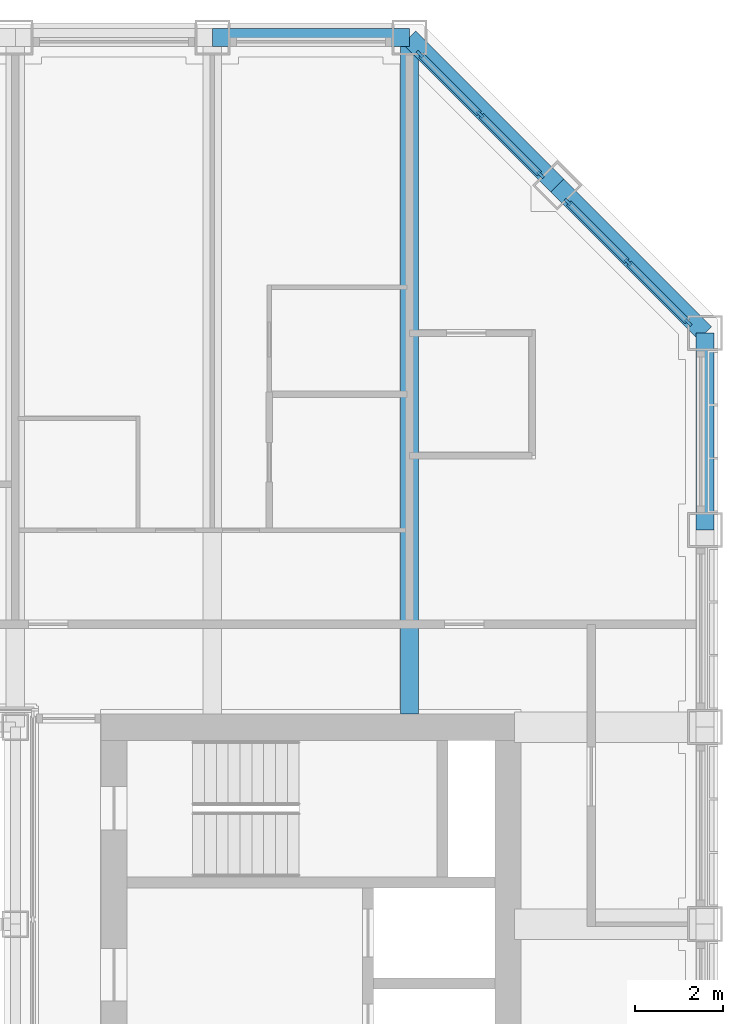
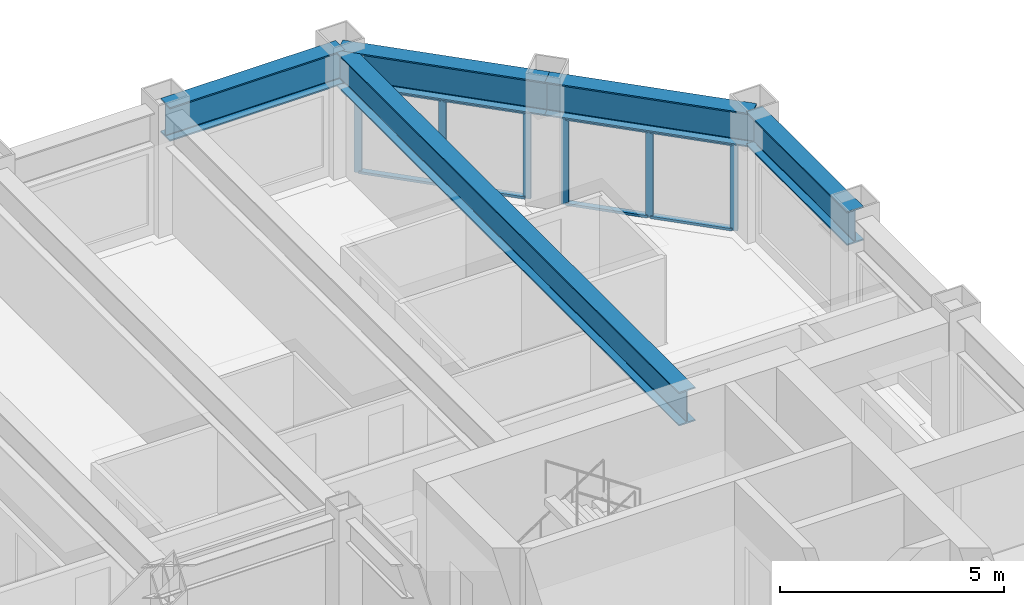
# One storey, part 8 of 18: 14 members, 5 beams, 2 elements without a shape of their own.
"""IFC4 building model written with IfcOpenShell, lengths in metres."""

from ifc_helpers import new_model, si_unit, direction, frame, origin, origin_2d, place, context, subcontext, project, spatial, rectangle, i_section, extrude, material, material_profile, profile_set, type_object, element, aggregate, save


model = new_model("IFC4")

# Units and contexts
model_context = context("Model", 3, precision=1e-05, world=origin(), true_north=direction((0.0, 1.0)))
body_context = subcontext(model_context, "Body", "Model", "MODEL_VIEW")
ifc_project = project(units=[si_unit("LENGTHUNIT", "METRE"), si_unit("AREAUNIT", "SQUARE_METRE"), si_unit("VOLUMEUNIT", "CUBIC_METRE"), si_unit("PLANEANGLEUNIT", "RADIAN"), si_unit("MASSUNIT", "GRAM", prefix="KILO")], contexts=[model_context])

# Site, building, storey
site_placement = place(None, origin())
site = spatial("IfcSite", under=ifc_project, at=site_placement, CompositionType="ELEMENT")
building_placement = place(site_placement, origin())
building = spatial("IfcBuilding", under=site, at=building_placement, Name="Msasa Ring Tower", CompositionType="ELEMENT")
storey_placement = place(building_placement, frame((0.0, 0.0, 186.800048828125)))
storey = spatial("IfcBuildingStorey", under=building, at=storey_placement, Name="L49", CompositionType="ELEMENT", Elevation=186.800048828125)

# Curtain wall, members
ifc_material_1 = material(Name="Aluminium curtain wall with clear glass", Category="aluminium")
curtain_wall_type = type_object("IfcCurtainWallType", Name="CW-C CHAMFER CORNER CURTAIN WALL", PredefinedType="NOTDEFINED", material=ifc_material_1)
curtain_wall_1_placement = place(storey_placement, origin())
curtain_wall_1 = element("IfcCurtainWall", 1, at=curtain_wall_1_placement, inside=storey, type_object=curtain_wall_type, Name="Chamfer corner curtain wall NE L49", PredefinedType="NOTDEFINED")
ifc_material_2 = material(Name="Aluminium mullion", Category="aluminium")
ifc_material_profile_1 = material_profile(ifc_material_2, rectangle(XDim=0.06494140625, YDim=0.179931640625, at=origin_2d()), Name="AL 65x180")
ifc_profile_set_1 = profile_set([ifc_material_profile_1], Name="Aluminium mullion")
member_type_1 = type_object("IfcMemberType", Name="CW-C MULLION 65x180", PredefinedType="MULLION", material=ifc_profile_set_1)
member_1_placement = place(storey_placement, frame((18.744873046875, 19.36376953125, 0.0), z_axis=(0.0, 0.0, 1.0), x_axis=(-0.707106781187, -0.707106781187, 0.0)))
member_1 = element("IfcMember", 2, at=member_1_placement, type_object=member_type_1, Name="CW-C mullion 1", PredefinedType="MULLION", context=body_context, shape_type="SweptSolid", body=[
    extrude(rectangle(XDim=0.06494140625, YDim=0.179931640625, at=origin_2d()), origin(), (0.0, 0.0, 1.0), 2.37890625),
])
member_2_placement = place(storey_placement, frame((17.36669921875, 20.74169921875, 0.0), z_axis=(0.0, 0.0, 1.0), x_axis=(-0.707106781187, -0.707106781187, 0.0)))
member_2 = element("IfcMember", 3, at=member_2_placement, type_object=member_type_1, Name="CW-C mullion 2", PredefinedType="MULLION", context=body_context, shape_type="SweptSolid", body=[
    extrude(rectangle(XDim=0.06494140625, YDim=0.179931640625, at=origin_2d()), origin(), (0.0, 0.0, 1.0), 2.37890625),
])
member_3_placement = place(storey_placement, frame((15.98876953125, 22.119873046875, 0.0), z_axis=(0.0, 0.0, 1.0), x_axis=(-0.707106781187, -0.707106781187, 0.0)))
member_3 = element("IfcMember", 4, at=member_3_placement, type_object=member_type_1, Name="CW-C mullion 3", PredefinedType="MULLION", context=body_context, shape_type="SweptSolid", body=[
    extrude(rectangle(XDim=0.06494140625, YDim=0.179931640625, at=origin_2d()), origin(), (0.0, 0.0, 1.0), 2.37890625),
])

curtain_wall_2_placement = place(storey_placement, origin())
curtain_wall_2 = element("IfcCurtainWall", 5, at=curtain_wall_2_placement, inside=storey, type_object=curtain_wall_type, Name="Chamfer corner curtain wall NE L49", PredefinedType="NOTDEFINED")
member_4_placement = place(storey_placement, frame((22.119873046875, 15.98876953125, 0.0), z_axis=(0.0, 0.0, 1.0), x_axis=(-0.707106781187, -0.707106781187, 0.0)))
member_4 = element("IfcMember", 6, at=member_4_placement, type_object=member_type_1, Name="CW-C mullion 1", PredefinedType="MULLION", context=body_context, shape_type="SweptSolid", body=[
    extrude(rectangle(XDim=0.06494140625, YDim=0.179931640625, at=origin_2d()), origin(), (0.0, 0.0, 1.0), 2.37890625),
])
member_5_placement = place(storey_placement, frame((20.74169921875, 17.36669921875, 0.0), z_axis=(0.0, 0.0, 1.0), x_axis=(-0.707106781187, -0.707106781187, 0.0)))
member_5 = element("IfcMember", 7, at=member_5_placement, type_object=member_type_1, Name="CW-C mullion 2", PredefinedType="MULLION", context=body_context, shape_type="SweptSolid", body=[
    extrude(rectangle(XDim=0.06494140625, YDim=0.179931640625, at=origin_2d()), origin(), (0.0, 0.0, 1.0), 2.37890625),
])
member_6_placement = place(storey_placement, frame((19.36376953125, 18.744873046875, 0.0), z_axis=(0.0, 0.0, 1.0), x_axis=(-0.707106781187, -0.707106781187, 0.0)))
member_6 = element("IfcMember", 8, at=member_6_placement, type_object=member_type_1, Name="CW-C mullion 3", PredefinedType="MULLION", context=body_context, shape_type="SweptSolid", body=[
    extrude(rectangle(XDim=0.06494140625, YDim=0.179931640625, at=origin_2d()), origin(), (0.0, 0.0, 1.0), 2.37890625),
])

# Member
ifc_material_3 = material(Name="Aluminium transom", Category="aluminium")
ifc_material_profile_2 = material_profile(ifc_material_3, rectangle(XDim=0.139892578125, YDim=0.06494140625, at=origin_2d()), Name="AL 65x140")
ifc_profile_set_2 = profile_set([ifc_material_profile_2], Name="Aluminium transom")
member_type_2 = type_object("IfcMemberType", Name="CW-C TRANSOM 65x140", PredefinedType="USERDEFINED", material=ifc_profile_set_2)
member_7_placement = place(storey_placement, frame((18.721923828125, 19.38671875, 0.032470703125), z_axis=(-0.707106781187, 0.707106781187, 0.0), x_axis=(-0.707106781187, -0.707106781187, 0.0)))
member_7 = element("IfcMember", 9, at=member_7_placement, type_object=member_type_2, Name="CW-C transom 1.1", ObjectType="TRANSOM", PredefinedType="USERDEFINED", context=body_context, shape_type="SweptSolid", body=[
    extrude(rectangle(XDim=0.139892578125, YDim=0.06494140625, at=origin_2d()), origin(), (0.0, 0.0, 1.0), 1.8837890625),
])

member_8_placement = place(storey_placement, frame((18.721923828125, 19.38671875, 2.346435546875), z_axis=(-0.707106781187, 0.707106781187, 0.0), x_axis=(-0.707106781187, -0.707106781187, 0.0)))
member_8 = element("IfcMember", 10, at=member_8_placement, type_object=member_type_2, Name="CW-C transom 1.2", ObjectType="TRANSOM", PredefinedType="USERDEFINED", context=body_context, shape_type="SweptSolid", body=[
    extrude(rectangle(XDim=0.139892578125, YDim=0.06494140625, at=origin_2d()), origin(), (0.0, 0.0, 1.0), 1.8837890625),
])

member_9_placement = place(storey_placement, frame((17.34375, 20.764892578125, 0.032470703125), z_axis=(-0.707106781187, 0.707106781187, 0.0), x_axis=(-0.707106781187, -0.707106781187, 0.0)))
member_9 = element("IfcMember", 11, at=member_9_placement, type_object=member_type_2, Name="CW-C transom 2.1", ObjectType="TRANSOM", PredefinedType="USERDEFINED", context=body_context, shape_type="SweptSolid", body=[
    extrude(rectangle(XDim=0.139892578125, YDim=0.06494140625, at=origin_2d()), origin(), (0.0, 0.0, 1.0), 1.8837890625),
])

member_10_placement = place(storey_placement, frame((17.34375, 20.764892578125, 2.346435546875), z_axis=(-0.707106781187, 0.707106781187, 0.0), x_axis=(-0.707106781187, -0.707106781187, 0.0)))
member_10 = element("IfcMember", 12, at=member_10_placement, type_object=member_type_2, Name="CW-C transom 2.2", ObjectType="TRANSOM", PredefinedType="USERDEFINED", context=body_context, shape_type="SweptSolid", body=[
    extrude(rectangle(XDim=0.139892578125, YDim=0.06494140625, at=origin_2d()), origin(), (0.0, 0.0, 1.0), 1.8837890625),
])

aggregate(curtain_wall_1, [member_1, member_2, member_3, member_7, member_8, member_9, member_10])

member_11_placement = place(storey_placement, frame((22.096923828125, 16.01171875, 0.032470703125), z_axis=(-0.707106781187, 0.707106781187, 0.0), x_axis=(-0.707106781187, -0.707106781187, 0.0)))
member_11 = element("IfcMember", 13, at=member_11_placement, type_object=member_type_2, Name="CW-C transom 1.1", ObjectType="TRANSOM", PredefinedType="USERDEFINED", context=body_context, shape_type="SweptSolid", body=[
    extrude(rectangle(XDim=0.139892578125, YDim=0.06494140625, at=origin_2d()), origin(), (0.0, 0.0, 1.0), 1.8837890625),
])

member_12_placement = place(storey_placement, frame((22.096923828125, 16.01171875, 2.346435546875), z_axis=(-0.707106781187, 0.707106781187, 0.0), x_axis=(-0.707106781187, -0.707106781187, 0.0)))
member_12 = element("IfcMember", 14, at=member_12_placement, type_object=member_type_2, Name="CW-C transom 1.2", ObjectType="TRANSOM", PredefinedType="USERDEFINED", context=body_context, shape_type="SweptSolid", body=[
    extrude(rectangle(XDim=0.139892578125, YDim=0.06494140625, at=origin_2d()), origin(), (0.0, 0.0, 1.0), 1.8837890625),
])

member_13_placement = place(storey_placement, frame((20.71875, 17.389892578125, 0.032470703125), z_axis=(-0.707106781187, 0.707106781187, 0.0), x_axis=(-0.707106781187, -0.707106781187, 0.0)))
member_13 = element("IfcMember", 15, at=member_13_placement, type_object=member_type_2, Name="CW-C transom 2.1", ObjectType="TRANSOM", PredefinedType="USERDEFINED", context=body_context, shape_type="SweptSolid", body=[
    extrude(rectangle(XDim=0.139892578125, YDim=0.06494140625, at=origin_2d()), origin(), (0.0, 0.0, 1.0), 1.8837890625),
])

member_14_placement = place(storey_placement, frame((20.71875, 17.389892578125, 2.346435546875), z_axis=(-0.707106781187, 0.707106781187, 0.0), x_axis=(-0.707106781187, -0.707106781187, 0.0)))
member_14 = element("IfcMember", 16, at=member_14_placement, type_object=member_type_2, Name="CW-C transom 2.2", ObjectType="TRANSOM", PredefinedType="USERDEFINED", context=body_context, shape_type="SweptSolid", body=[
    extrude(rectangle(XDim=0.139892578125, YDim=0.06494140625, at=origin_2d()), origin(), (0.0, 0.0, 1.0), 1.8837890625),
])

aggregate(curtain_wall_2, [member_4, member_5, member_6, member_11, member_12, member_13, member_14])

# Beams
ifc_material_4 = material(Name="Steel S355", Category="steel")
ifc_material_profile_3 = material_profile(ifc_material_4, i_section(OverallWidth=0.42041015625, OverallDepth=0.9208984375, WebThickness=0.021484375, FlangeThickness=0.03662109375, FilletRadius=0.024169921875, at=origin_2d()), Name="UB 914x419x388")
ifc_profile_set_3 = profile_set([ifc_material_profile_3], Name="Steel S355")
beam_type_1 = type_object("IfcBeamType", Name="FB2 UB 914x419x388", PredefinedType="BEAM", material=ifc_profile_set_3)
beam_1_placement = place(storey_placement, frame((15.75, 22.5, 2.83935546875), z_axis=(0.0, -1.0, 0.0), x_axis=(1.0, 0.0, 0.0)))
element("IfcBeam", 17, at=beam_1_placement, inside=storey, type_object=beam_type_1, Name="Floor beam N+15.75 under L50", PredefinedType="BEAM", context=body_context, shape_type="SweptSolid", body=[
    extrude(i_section(OverallWidth=0.42041015625, OverallDepth=0.9208984375, WebThickness=0.021484375, FlangeThickness=0.03662109375, FilletRadius=0.024169921875, at=origin_2d()), origin(), (0.0, 0.0, 1.0), 15.449951171875),
])
ifc_material_5 = material(Name="Steel S355", Category="steel")
ifc_material_profile_4 = material_profile(ifc_material_5, i_section(OverallWidth=0.42041015625, OverallDepth=0.9208984375, WebThickness=0.021484375, FlangeThickness=0.03662109375, FilletRadius=0.024169921875, at=origin_2d()), Name="UB 914x419x388")
ifc_profile_set_4 = profile_set([ifc_material_profile_4], Name="Steel S355")
beam_type_2 = type_object("IfcBeamType", Name="SB1 UB 914x419x388", PredefinedType="SPANDREL", material=ifc_profile_set_4)
beam_2_placement = place(storey_placement, frame((22.5, 11.25, 2.83935546875), z_axis=(0.0, 1.0, 0.0), x_axis=(-1.0, 0.0, 0.0)))
element("IfcBeam", 18, at=beam_2_placement, inside=storey, type_object=beam_type_2, Name="Spandrel E+11.25 to E+15.75 under L50", PredefinedType="SPANDREL", context=body_context, shape_type="SweptSolid", body=[
    extrude(i_section(OverallWidth=0.42041015625, OverallDepth=0.9208984375, WebThickness=0.021484375, FlangeThickness=0.03662109375, FilletRadius=0.024169921875, at=origin_2d()), origin(), (0.0, 0.0, 1.0), 4.5),
])
for number, where, z_axis, x_axis, name in (
    (19, (22.5, 15.75, 2.83935546875), (-0.707106781187, 0.707106781187, 0.0), (-0.707106781187, -0.707106781187, 0.0), "Spandrel E+15.75 to NE under L50"),
    (20, (19.125, 19.125, 2.83935546875), (-0.707106781187, 0.707106781187, 0.0), (-0.707106781187, -0.707106781187, 0.0), "Spandrel NE to N+15.75 under L50"),
):
    element("IfcBeam", number, at=place(storey_placement, frame(where, z_axis=z_axis, x_axis=x_axis)), inside=storey, type_object=beam_type_2, Name=name, PredefinedType="SPANDREL", context=body_context, shape_type="SweptSolid", body=[
        extrude(i_section(OverallWidth=0.42041015625, OverallDepth=0.9208984375, WebThickness=0.021484375, FlangeThickness=0.03662109375, FilletRadius=0.024169921875, at=origin_2d()), origin(), (0.0, 0.0, 1.0), 4.77294921875),
    ])
beam_3_placement = place(storey_placement, frame((15.75, 22.5, 2.83935546875), z_axis=(-1.0, 0.0, 0.0), x_axis=(0.0, -1.0, 0.0)))
element("IfcBeam", 21, at=beam_3_placement, inside=storey, type_object=beam_type_2, Name="Spandrel N+15.75 to N+11.25 under L50", PredefinedType="SPANDREL", context=body_context, shape_type="SweptSolid", body=[
    extrude(i_section(OverallWidth=0.42041015625, OverallDepth=0.9208984375, WebThickness=0.021484375, FlangeThickness=0.03662109375, FilletRadius=0.024169921875, at=origin_2d()), origin(), (0.0, 0.0, 1.0), 4.5),
])

save(model, "model.ifc")
